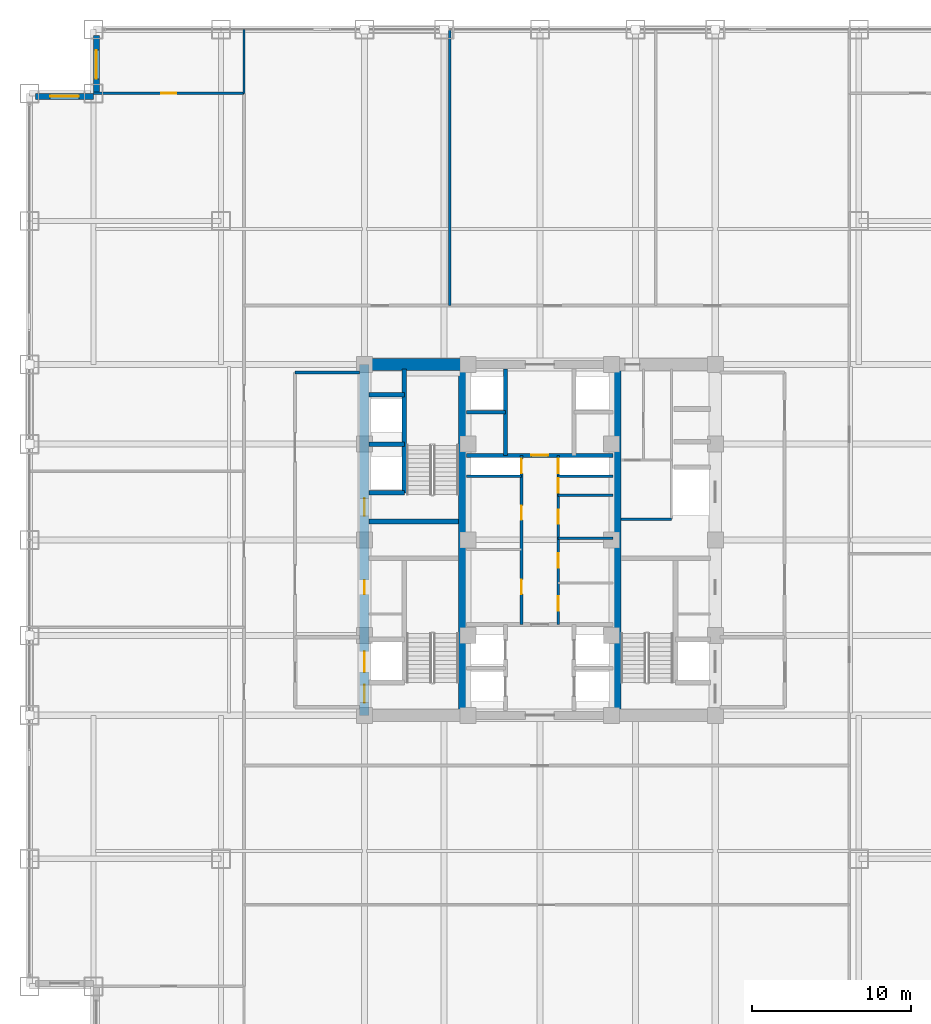
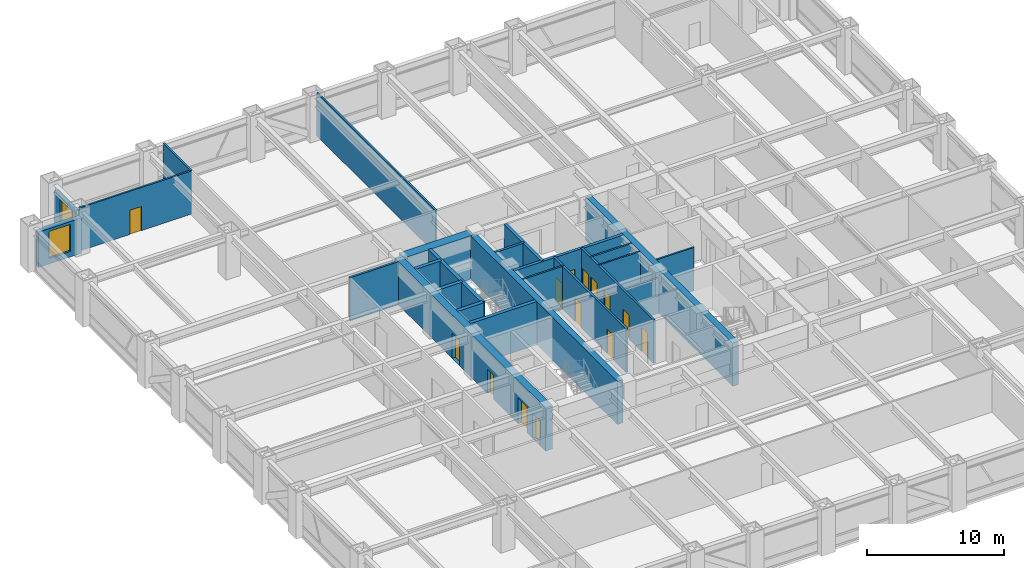
# One storey, part 25 of 28: 25 walls, 14 doors, 2 windows, 16 openings.
"""IFC4 building model written with IfcOpenShell, lengths in metres."""

from ifc_helpers import new_model, si_unit, direction, frame, frame_2d, origin, place, context, subcontext, project, spatial, rectangle, extrude, source, transform, mapped, material, layer, layer_set, type_object, element, fill, save


model = new_model("IFC4")

# Units and contexts
model_context = context("Model", 3, precision=1e-05, world=origin(), true_north=direction((0.0, 1.0)))
body_context = subcontext(model_context, "Body", "Model", "MODEL_VIEW")
ifc_project = project(units=[si_unit("LENGTHUNIT", "METRE"), si_unit("AREAUNIT", "SQUARE_METRE"), si_unit("VOLUMEUNIT", "CUBIC_METRE"), si_unit("PLANEANGLEUNIT", "RADIAN"), si_unit("MASSUNIT", "GRAM", prefix="KILO")], contexts=[model_context])

# Site, building, storey
site_placement = place(None, origin())
site = spatial("IfcSite", under=ifc_project, at=site_placement, CompositionType="ELEMENT")
building_placement = place(site_placement, origin())
building = spatial("IfcBuilding", under=site, at=building_placement, Name="Khorayat Bourse Tower", CompositionType="ELEMENT")
storey_placement = place(building_placement, frame((0.0, 0.0, 124.199951171875)))
storey = spatial("IfcBuildingStorey", under=building, at=storey_placement, Name="L28", CompositionType="ELEMENT", Elevation=124.199951171875)

# Wall, openings, doors
ifc_material_1 = material(Name="Concrete C60/75", Category="concrete")
ifc_layer_1 = layer(ifc_material_1, 0.60009765625)
ifc_layer_set_1 = layer_set([ifc_layer_1], Name="Concrete C60/75")
wall_type_1 = type_object("IfcWallType", Name="WAL-CORE-600", PredefinedType="SHEAR", material=ifc_layer_set_1)
shared_shape_1 = source(origin(), body_context, "Body", "SweptSolid", [
    extrude(rectangle(XDim=22.0, YDim=0.60009765625, at=frame_2d((11.0, 0.0))), origin(), (0.0, 0.0, 1.0), 3.840087890625),
])
wall_1_placement = place(storey_placement, frame((-11.0, -11.0, 0.0), z_axis=(0.0, 0.0, 1.0), x_axis=(0.0, 1.0, 0.0)))
wall_1 = element("IfcWall", 1, at=wall_1_placement, inside=storey, type_object=wall_type_1, Name="L28 Core Shear Wall CORE-W", PredefinedType="SHEAR", context=body_context, shape_type="MappedRepresentation", body=[
    mapped(shared_shape_1, transform((0.0, 0.0, 0.0), scale=1.0)),
])
shared_shape_2 = source(origin(), body_context, "Body", "SweptSolid", [
    extrude(rectangle(XDim=1.10009765625, YDim=2.199951171875, at=frame_2d((0.550048828125, 1.10009765625))), frame((0.0, 0.31005859375, 0.0), z_axis=(0.0, -1.0, 0.0), x_axis=(1.0, 0.0, 0.0)), (0.0, 0.0, 1.0), 0.6201171875),
])
opening_1_placement = place(wall_1_placement, frame((0.800048828125, 0.0, 0.0)))
opening_1 = element("IfcOpeningElement", 2, at=opening_1_placement, cuts=wall_1, Name="Opening DI-01", PredefinedType="OPENING", context=body_context, shape_type="MappedRepresentation", body=[
    mapped(shared_shape_2, transform((0.0, 0.0, 0.0), scale=1.0)),
])
opening_2_placement = place(wall_1_placement, frame((12.5, 0.0, 0.0)))
opening_2 = element("IfcOpeningElement", 3, at=opening_2_placement, cuts=wall_1, Name="Opening DI-01", PredefinedType="OPENING", context=body_context, shape_type="MappedRepresentation", body=[
    mapped(shared_shape_2, transform((0.0, 0.0, 0.0), scale=1.0)),
])
shared_shape_3 = source(origin(), body_context, "Body", "SweptSolid", [
    extrude(rectangle(XDim=0.89990234375, YDim=2.14990234375, at=frame_2d((0.449951171875, 1.074951171875))), frame((0.0, 0.31005859375, 0.0), z_axis=(0.0, -1.0, 0.0), x_axis=(1.0, 0.0, 0.0)), (0.0, 0.0, 1.0), 0.6201171875),
])
opening_3_placement = place(wall_1_placement, frame((7.574951171875, 0.0, 0.0)))
opening_3 = element("IfcOpeningElement", 4, at=opening_3_placement, cuts=wall_1, Name="Opening DI-06", PredefinedType="OPENING", context=body_context, shape_type="MappedRepresentation", body=[
    mapped(shared_shape_3, transform((0.0, 0.0, 0.0), scale=1.0)),
])
shared_shape_4 = source(origin(), body_context, "Body", "SweptSolid", [
    extrude(rectangle(XDim=1.300048828125, YDim=2.300048828125, at=frame_2d((0.64990234375, 1.14990234375))), frame((0.0, 0.31005859375, 0.0), z_axis=(0.0, -1.0, 0.0), x_axis=(1.0, 0.0, 0.0)), (0.0, 0.0, 1.0), 0.6201171875),
])
opening_4_placement = place(wall_1_placement, frame((2.699951171875, 0.0, 0.0)))
opening_4 = element("IfcOpeningElement", 5, at=opening_4_placement, cuts=wall_1, Name="Opening LD-02", PredefinedType="OPENING", context=body_context, shape_type="MappedRepresentation", body=[
    mapped(shared_shape_4, transform((0.0, 0.0, 0.0), scale=1.0)),
])
ifc_material_2 = material(Name="Fire-rated steel acoustic leaf", Category="steel")
door_type_1 = type_object("IfcDoorType", Name="DR-INT-STAIR-1100", OperationType="NOTDEFINED", PredefinedType="DOOR", material=ifc_material_2)
shared_shape_5 = source(origin(), body_context, "Body", "SweptSolid", [
    extrude(rectangle(XDim=1.10009765625, YDim=2.199951171875, at=frame_2d((0.550048828125, 1.10009765625))), frame((0.0, 0.02490234375, 0.0), z_axis=(0.0, -1.0, 0.0), x_axis=(1.0, 0.0, 0.0)), (0.0, 0.0, 1.0), 0.050048828125),
])
door_1_placement = place(opening_1_placement, origin())
door_1 = element("IfcDoor", 6, at=door_1_placement, inside=storey, type_object=door_type_1, Name="L28 Exit Stair 1 Door", OperationType="SINGLE_SWING_RIGHT", OverallHeight=2.199951171875, OverallWidth=1.10009765625, PredefinedType="DOOR", context=body_context, shape_type="MappedRepresentation", body=[
    mapped(shared_shape_5, transform((0.0, 0.0, 0.0), scale=1.0)),
])
fill(opening_1, door_1)
door_2_placement = place(opening_2_placement, origin())
door_2 = element("IfcDoor", 7, at=door_2_placement, inside=storey, type_object=door_type_1, Name="L28 Exit Stair 2 Door", OperationType="SINGLE_SWING_RIGHT", OverallHeight=2.199951171875, OverallWidth=1.10009765625, PredefinedType="DOOR", context=body_context, shape_type="MappedRepresentation", body=[
    mapped(shared_shape_5, transform((0.0, 0.0, 0.0), scale=1.0)),
])
fill(opening_2, door_2)
ifc_material_3 = material(Name="Moisture-resistant laminate washroom door")
door_type_2 = type_object("IfcDoorType", Name="DR-INT-WC-900", OperationType="NOTDEFINED", PredefinedType="DOOR", material=ifc_material_3)
shared_shape_6 = source(origin(), body_context, "Body", "SweptSolid", [
    extrude(rectangle(XDim=0.89990234375, YDim=2.14990234375, at=frame_2d((0.449951171875, 1.074951171875))), frame((0.0, 0.02490234375, 0.0), z_axis=(0.0, -1.0, 0.0), x_axis=(1.0, 0.0, 0.0)), (0.0, 0.0, 1.0), 0.050048828125),
])
door_3_placement = place(opening_3_placement, origin())
door_3 = element("IfcDoor", 8, at=door_3_placement, inside=storey, type_object=door_type_2, Name="L28 UPS Switch Plant Room Door", OperationType="SINGLE_SWING_RIGHT", OverallHeight=2.14990234375, OverallWidth=0.89990234375, PredefinedType="DOOR", context=body_context, shape_type="MappedRepresentation", body=[
    mapped(shared_shape_6, transform((0.0, 0.0, 0.0), scale=1.0)),
])
fill(opening_3, door_3)
ifc_material_4 = material(Name="Fire-rated stainless-steel sliding landing door", Category="steel")
door_type_3 = type_object("IfcDoorType", Name="DR-LIFT-FF-1300", OperationType="NOTDEFINED", PredefinedType="DOOR", material=ifc_material_4)
shared_shape_7 = source(origin(), body_context, "Body", "SweptSolid", [
    extrude(rectangle(XDim=1.300048828125, YDim=2.300048828125, at=frame_2d((0.64990234375, 1.14990234375))), frame((0.0, 0.02490234375, 0.0), z_axis=(0.0, -1.0, 0.0), x_axis=(1.0, 0.0, 0.0)), (0.0, 0.0, 1.0), 0.050048828125),
])
door_4_placement = place(opening_4_placement, origin())
door_4 = element("IfcDoor", 9, at=door_4_placement, inside=storey, type_object=door_type_3, Name="L28 Lift FFL-01 Sliding Landing Door", OperationType="SLIDING_TO_LEFT", OverallHeight=2.300048828125, OverallWidth=1.300048828125, PredefinedType="DOOR", context=body_context, shape_type="MappedRepresentation", body=[
    mapped(shared_shape_7, transform((0.0, 0.0, 0.0), scale=1.0)),
])
fill(opening_4, door_4)

# Walls
ifc_material_5 = material(Name="Concrete C52/65", Category="concrete")
ifc_layer_2 = layer(ifc_material_5, 0.5)
ifc_layer_set_2 = layer_set([ifc_layer_2], Name="Concrete C52/65")
wall_type_2 = type_object("IfcWallType", Name="WAL-CORE-500", PredefinedType="SHEAR", material=ifc_layer_set_2)
shared_shape_8 = source(origin(), body_context, "Body", "SweptSolid", [
    extrude(rectangle(XDim=21.39990234375, YDim=0.5, at=frame_2d((10.699951171875, 0.0))), origin(), (0.0, 0.0, 1.0), 3.840087890625),
])
for number, where, z_axis, x_axis, name in (
    (10, (-4.85009765625, -10.699951171875, 0.0), (0.0, 0.0, 1.0), (0.0, 1.0, 0.0), "L28 Core Shear Wall PIER-W"),
    (11, (4.85009765625, -10.699951171875, 0.0), (0.0, 0.0, 1.0), (0.0, 1.0, 0.0), "L28 Core Shear Wall PIER-E"),
):
    element("IfcWall", number, at=place(storey_placement, frame(where, z_axis=z_axis, x_axis=x_axis)), inside=storey, type_object=wall_type_2, Name=name, PredefinedType="SHEAR", context=body_context, shape_type="MappedRepresentation", body=[
        mapped(shared_shape_8, transform((0.0, 0.0, 0.0), scale=1.0)),
    ])
ifc_material_6 = material(Name="Concrete C72/90", Category="concrete")
ifc_layer_3 = layer(ifc_material_6, 0.75)
ifc_layer_set_3 = layer_set([ifc_layer_3], Name="Concrete C72/90")
wall_type_3 = type_object("IfcWallType", Name="WAL-CORE-750", PredefinedType="SHEAR", material=ifc_layer_set_3)
shared_shape_9 = source(origin(), body_context, "Body", "SweptSolid", [
    extrude(rectangle(XDim=5.849853515625, YDim=0.75, at=frame_2d((2.9248046875, 0.0))), origin(), (0.0, 0.0, 1.0), 3.840087890625),
])
wall_2_placement = place(storey_placement, frame((-10.699951171875, 11.0, 0.0), z_axis=(0.0, 0.0, 1.0), x_axis=(1.0, 0.0, 0.0)))
element("IfcWall", 12, at=wall_2_placement, inside=storey, type_object=wall_type_3, Name="L28 Core Shear Wall PIER-WN", PredefinedType="SHEAR", context=body_context, shape_type="MappedRepresentation", body=[
    mapped(shared_shape_9, transform((0.0, 0.0, 0.0), scale=1.0)),
])
ifc_material_7 = material(Name="Concrete C50/60", Category="concrete")
ifc_layer_4 = layer(ifc_material_7, 0.300048828125)
ifc_layer_set_4 = layer_set([ifc_layer_4], Name="Concrete C50/60")
wall_type_4 = type_object("IfcWallType", Name="WAL-SHAFT-300", PredefinedType="SHEAR", material=ifc_layer_set_4)
shared_shape_10 = source(origin(), body_context, "Body", "SweptSolid", [
    extrude(rectangle(XDim=5.599853515625, YDim=0.300048828125, at=frame_2d((2.7998046875, 0.0))), origin(), (0.0, 0.0, 1.0), 3.840087890625),
])
wall_3_placement = place(storey_placement, frame((-10.699951171875, 1.14990234375, 0.0), z_axis=(0.0, 0.0, 1.0), x_axis=(1.0, 0.0, 0.0)))
element("IfcWall", 13, at=wall_3_placement, inside=storey, type_object=wall_type_4, Name="L28 Core Shear Wall ST2-DIV", PredefinedType="SHEAR", context=body_context, shape_type="MappedRepresentation", body=[
    mapped(shared_shape_10, transform((0.0, 0.0, 0.0), scale=1.0)),
])

# Wall, opening, window
ifc_material_8 = material(Name="Precast concrete C45/55", Category="concrete")
ifc_layer_5 = layer(ifc_material_8, 0.3798828125)
ifc_layer_set_5 = layer_set([ifc_layer_5], Name="Precast concrete C45/55")
wall_type_5 = type_object("IfcWallType", Name="WAL-EXT-STONE-380", PredefinedType="STANDARD", material=ifc_layer_set_5)
shared_shape_11 = source(origin(), body_context, "Body", "SweptSolid", [
    extrude(rectangle(XDim=3.6201171875, YDim=0.3798828125, at=frame_2d((1.81005859375, 0.0))), origin(), (0.0, 0.0, 1.0), 3.14501953125),
])
wall_4_placement = place(storey_placement, frame((-27.81005859375, 28.0, 0.0), z_axis=(0.0, 0.0, 1.0), x_axis=(0.0, 1.0, 0.0)))
wall_4 = element("IfcWall", 14, at=wall_4_placement, inside=storey, type_object=wall_type_5, Name="L28 Re-Entrant Notch Limestone Wall NW-V", PredefinedType="STANDARD", context=body_context, shape_type="MappedRepresentation", body=[
    mapped(shared_shape_11, transform((0.0, 0.0, 0.0), scale=1.0)),
])
shared_shape_12 = source(origin(), body_context, "Body", "SweptSolid", [
    extrude(rectangle(XDim=1.800048828125, YDim=2.39990234375, at=frame_2d((0.89990234375, 1.199951171875))), frame((0.0, 0.199951171875, 0.0), z_axis=(0.0, -1.0, 0.0), x_axis=(1.0, 0.0, 0.0)), (0.0, 0.0, 1.0), 0.39990234375),
])
opening_5_placement = place(wall_4_placement, frame((0.909912109375, 0.0, 0.5)))
opening_5 = element("IfcOpeningElement", 15, at=opening_5_placement, cuts=wall_4, Name="Opening WN-04", PredefinedType="OPENING", context=body_context, shape_type="MappedRepresentation", body=[
    mapped(shared_shape_12, transform((0.0, 0.0, 0.0), scale=1.0)),
])
ifc_material_9 = material(Name="Low-E acoustic laminated double glazing", Category="glass")
window_type = type_object("IfcWindowType", Name="WIN-NOTCH-1800x2400", PartitioningType="SINGLE_PANEL", PredefinedType="WINDOW", material=ifc_material_9)
shared_shape_13 = source(origin(), body_context, "Body", "SweptSolid", [
    extrude(rectangle(XDim=1.800048828125, YDim=2.39990234375, at=frame_2d((0.89990234375, 1.199951171875))), frame((0.0, 0.030029296875, 0.0), z_axis=(0.0, -1.0, 0.0), x_axis=(1.0, 0.0, 0.0)), (0.0, 0.0, 1.0), 0.06005859375),
])
window_1_placement = place(opening_5_placement, origin())
window_1 = element("IfcWindow", 16, at=window_1_placement, inside=storey, type_object=window_type, Name="L28 Facade Window 1", OverallHeight=2.39990234375, OverallWidth=1.800048828125, PartitioningType="SINGLE_PANEL", PredefinedType="WINDOW", context=body_context, shape_type="MappedRepresentation", body=[
    mapped(shared_shape_13, transform((0.0, 0.0, 0.0), scale=1.0)),
])
fill(opening_5, window_1)

wall_5_placement = place(storey_placement, frame((-28.0, 27.81005859375, 0.0), z_axis=(0.0, 0.0, 1.0), x_axis=(-1.0, 0.0, 0.0)))
wall_5 = element("IfcWall", 17, at=wall_5_placement, inside=storey, type_object=wall_type_5, Name="L28 Re-Entrant Notch Limestone Wall NW-H", PredefinedType="STANDARD", context=body_context, shape_type="MappedRepresentation", body=[
    mapped(shared_shape_11, transform((0.0, 0.0, 0.0), scale=1.0)),
])
opening_6_placement = place(wall_5_placement, frame((0.909912109375, 0.0, 0.5)))
opening_6 = element("IfcOpeningElement", 18, at=opening_6_placement, cuts=wall_5, Name="Opening WN-04", PredefinedType="OPENING", context=body_context, shape_type="MappedRepresentation", body=[
    mapped(shared_shape_12, transform((0.0, 0.0, 0.0), scale=1.0)),
])
window_2_placement = place(opening_6_placement, origin())
window_2 = element("IfcWindow", 19, at=window_2_placement, inside=storey, type_object=window_type, Name="L28 Facade Window 1", OverallHeight=2.39990234375, OverallWidth=1.800048828125, PartitioningType="SINGLE_PANEL", PredefinedType="WINDOW", context=body_context, shape_type="MappedRepresentation", body=[
    mapped(shared_shape_13, transform((0.0, 0.0, 0.0), scale=1.0)),
])
fill(opening_6, window_2)

# Walls
shared_shape_14 = source(origin(), body_context, "Body", "SweptSolid", [
    extrude(rectangle(XDim=2.199951171875, YDim=0.300048828125, at=frame_2d((1.10009765625, 0.0))), origin(), (0.0, 0.0, 1.0), 3.840087890625),
])
for number, where, z_axis, x_axis, name in (
    (20, (-10.699951171875, 2.949951171875, 0.0), (0.0, 0.0, 1.0), (1.0, 0.0, 0.0), "L28 Partition WAL-L28-WPIER-H1S"),
    (21, (-10.699951171875, 6.0, 0.0), (0.0, 0.0, 1.0), (1.0, 0.0, 0.0), "L28 Partition WAL-L28-WPIER-H12"),
    (22, (-10.699951171875, 9.10009765625, 0.0), (0.0, 0.0, 1.0), (1.0, 0.0, 0.0), "L28 Partition WAL-L28-WPIER-H2N"),
):
    element("IfcWall", number, at=place(storey_placement, frame(where, z_axis=z_axis, x_axis=x_axis)), inside=storey, type_object=wall_type_4, Name=name, PredefinedType="SHEAR", context=body_context, shape_type="MappedRepresentation", body=[
        mapped(shared_shape_14, transform((0.0, 0.0, 0.0), scale=1.0)),
    ])
shared_shape_15 = source(origin(), body_context, "Body", "SweptSolid", [
    extrude(rectangle(XDim=7.75, YDim=0.300048828125, at=frame_2d((3.875, 0.0))), origin(), (0.0, 0.0, 1.0), 3.840087890625),
])
wall_6_placement = place(storey_placement, frame((-8.5, 2.949951171875, 0.0), z_axis=(0.0, 0.0, 1.0), x_axis=(0.0, 1.0, 0.0)))
element("IfcWall", 23, at=wall_6_placement, inside=storey, type_object=wall_type_4, Name="L28 Partition WAL-L28-WPIER-ST2S", PredefinedType="SHEAR", context=body_context, shape_type="MappedRepresentation", body=[
    mapped(shared_shape_15, transform((0.0, 0.0, 0.0), scale=1.0)),
])
ifc_material_10 = material(Name="Moisture-resistant masonry partition", Category="masonry")
ifc_layer_6 = layer(ifc_material_10, 0.139892578125)
ifc_layer_set_6 = layer_set([ifc_layer_6], Name="Moisture-resistant masonry partition")
wall_type_6 = type_object("IfcWallType", Name="WAL-PART-WET-140", PredefinedType="PARTITIONING", material=ifc_layer_set_6)
shared_shape_16 = source(origin(), body_context, "Body", "SweptSolid", [
    extrude(rectangle(XDim=3.14990234375, YDim=0.139892578125, at=frame_2d((1.574951171875, 0.0))), origin(), (0.0, 0.0, 1.0), 3.840087890625),
])
wall_7_placement = place(storey_placement, frame((5.10009765625, 1.300048828125, 0.0), z_axis=(0.0, 0.0, 1.0), x_axis=(1.0, 0.0, 0.0)))
element("IfcWall", 24, at=wall_7_placement, inside=storey, type_object=wall_type_6, Name="L28 Partition WAL-L28-ECORE-S", PredefinedType="PARTITIONING", context=body_context, shape_type="MappedRepresentation", body=[
    mapped(shared_shape_16, transform((0.0, 0.0, 0.0), scale=1.0)),
])
ifc_material_11 = material(Name="Gypsum plasterboard acoustic stud wall")
ifc_layer_7 = layer(ifc_material_11, 0.179931640625)
ifc_layer_set_7 = layer_set([ifc_layer_7], Name="Gypsum plasterboard acoustic stud wall")
wall_type_7 = type_object("IfcWallType", Name="WAL-PART-CORR-180", PredefinedType="PARTITIONING", material=ifc_layer_set_7)
shared_shape_17 = source(origin(), body_context, "Body", "SweptSolid", [
    extrude(rectangle(XDim=4.050048828125, YDim=0.179931640625, at=frame_2d((2.02490234375, 0.0))), origin(), (0.0, 0.0, 1.0), 3.840087890625),
])
wall_8_placement = place(storey_placement, frame((-15.35009765625, 10.5, 0.0), z_axis=(0.0, 0.0, 1.0), x_axis=(1.0, 0.0, 0.0)))
element("IfcWall", 25, at=wall_8_placement, inside=storey, type_object=wall_type_7, Name="L28 Partition WAL-L28-WLOB-N", PredefinedType="PARTITIONING", context=body_context, shape_type="MappedRepresentation", body=[
    mapped(shared_shape_17, transform((0.0, 0.0, 0.0), scale=1.0)),
])
ifc_material_12 = material(Name="Gypsum plasterboard twin-frame partition")
ifc_layer_8 = layer(ifc_material_12, 0.14990234375)
ifc_layer_set_8 = layer_set([ifc_layer_8], Name="Gypsum plasterboard twin-frame partition")
wall_type_8 = type_object("IfcWallType", Name="WAL-PART-SUITE-150", PredefinedType="PARTITIONING", material=ifc_layer_set_8)
shared_shape_18 = source(origin(), body_context, "Body", "SweptSolid", [
    extrude(rectangle(XDim=3.4501953125, YDim=0.14990234375, at=frame_2d((1.72509765625, 0.0))), origin(), (0.0, 0.0, 1.0), 3.840087890625),
])
for number, where, z_axis, x_axis, name in (
    (26, (-4.60009765625, 4.0, 0.0), (0.0, 0.0, 1.0), (1.0, 0.0, 0.0), "L28 Partition WAL-L28-CRSW-S"),
    (27, (1.14990234375, 4.0, 0.0), (0.0, 0.0, 1.0), (1.0, 0.0, 0.0), "L28 Partition WAL-L28-CRSE-S"),
):
    element("IfcWall", number, at=place(storey_placement, frame(where, z_axis=z_axis, x_axis=x_axis)), inside=storey, type_object=wall_type_8, Name=name, PredefinedType="PARTITIONING", context=body_context, shape_type="MappedRepresentation", body=[
        mapped(shared_shape_18, transform((0.0, 0.0, 0.0), scale=1.0)),
    ])
shared_shape_19 = source(origin(), body_context, "Body", "SweptSolid", [
    extrude(rectangle(XDim=5.39990234375, YDim=0.25, at=frame_2d((2.699951171875, 0.0))), origin(), (0.0, 0.0, 1.0), 3.840087890625),
])
wall_9_placement = place(storey_placement, frame((-2.14990234375, 5.300048828125, 0.0), z_axis=(0.0, 0.0, 1.0), x_axis=(0.0, 1.0, 0.0)))
element("IfcWall", 28, at=wall_9_placement, inside=storey, type_object=wall_type_4, Name="L28 Partition WAL-L28-B2-W", PredefinedType="SHEAR", context=body_context, shape_type="MappedRepresentation", body=[
    mapped(shared_shape_19, transform((0.0, 0.0, 0.0), scale=1.0)),
])
shared_shape_20 = source(origin(), body_context, "Body", "SweptSolid", [
    extrude(rectangle(XDim=2.4501953125, YDim=0.199951171875, at=frame_2d((1.22509765625, 0.0))), origin(), (0.0, 0.0, 1.0), 3.840087890625),
])
wall_10_placement = place(storey_placement, frame((-4.60009765625, 8.0, 0.0), z_axis=(0.0, 0.0, 1.0), x_axis=(1.0, 0.0, 0.0)))
element("IfcWall", 29, at=wall_10_placement, inside=storey, type_object=wall_type_4, Name="L28 Partition WAL-L28-B2-MW", PredefinedType="SHEAR", context=body_context, shape_type="MappedRepresentation", body=[
    mapped(shared_shape_20, transform((0.0, 0.0, 0.0), scale=1.0)),
])

# Wall, opening, door
shared_shape_21 = source(origin(), body_context, "Body", "SweptSolid", [
    extrude(rectangle(XDim=9.2001953125, YDim=0.25, at=frame_2d((4.60009765625, 0.0))), origin(), (0.0, 0.0, 1.0), 3.840087890625),
])
wall_11_placement = place(storey_placement, frame((-4.60009765625, 5.300048828125, 0.0), z_axis=(0.0, 0.0, 1.0), x_axis=(1.0, 0.0, 0.0)))
wall_11 = element("IfcWall", 30, at=wall_11_placement, inside=storey, type_object=wall_type_4, Name="L28 Partition WAL-L28-B2-S", PredefinedType="SHEAR", context=body_context, shape_type="MappedRepresentation", body=[
    mapped(shared_shape_21, transform((0.0, 0.0, 0.0), scale=1.0)),
])
shared_shape_22 = source(origin(), body_context, "Body", "SweptSolid", [
    extrude(rectangle(XDim=1.050048828125, YDim=2.199951171875, at=frame_2d((0.52490234375, 1.10009765625))), frame((0.0, 0.135009765625, 0.0), z_axis=(0.0, -1.0, 0.0), x_axis=(1.0, 0.0, 0.0)), (0.0, 0.0, 1.0), 0.27001953125),
])
opening_7_placement = place(wall_11_placement, frame((4.074951171875, 0.0, 0.0)))
opening_7 = element("IfcOpeningElement", 31, at=opening_7_placement, cuts=wall_11, Name="Opening DI-04", PredefinedType="OPENING", context=body_context, shape_type="MappedRepresentation", body=[
    mapped(shared_shape_22, transform((0.0, 0.0, 0.0), scale=1.0)),
])
ifc_material_13 = material(Name="Fire-rated oak veneer suite entrance door")
door_type_4 = type_object("IfcDoorType", Name="DR-INT-SUITE-1050", OperationType="NOTDEFINED", PredefinedType="DOOR", material=ifc_material_13)
shared_shape_23 = source(origin(), body_context, "Body", "SweptSolid", [
    extrude(rectangle(XDim=1.050048828125, YDim=2.199951171875, at=frame_2d((0.52490234375, 1.10009765625))), frame((0.0, 0.02490234375, 0.0), z_axis=(0.0, -1.0, 0.0), x_axis=(1.0, 0.0, 0.0)), (0.0, 0.0, 1.0), 0.050048828125),
])
door_5_placement = place(opening_7_placement, origin())
door_5 = element("IfcDoor", 32, at=door_5_placement, inside=storey, type_object=door_type_4, Name="L28 Core Spine North Door", OperationType="SINGLE_SWING_RIGHT", OverallHeight=2.199951171875, OverallWidth=1.050048828125, PredefinedType="DOOR", context=body_context, shape_type="MappedRepresentation", body=[
    mapped(shared_shape_23, transform((0.0, 0.0, 0.0), scale=1.0)),
])
fill(opening_7, door_5)

# Wall, openings, doors
shared_shape_24 = source(origin(), body_context, "Body", "SweptSolid", [
    extrude(rectangle(XDim=10.60009765625, YDim=0.179931640625, at=frame_2d((5.300048828125, 0.0))), origin(), (0.0, 0.0, 1.0), 3.840087890625),
])
wall_12_placement = place(storey_placement, frame((-1.14990234375, -5.300048828125, 0.0), z_axis=(0.0, 0.0, 1.0), x_axis=(0.0, 1.0, 0.0)))
wall_12 = element("IfcWall", 33, at=wall_12_placement, inside=storey, type_object=wall_type_7, Name="L28 Partition WAL-L28-CMW-L", PredefinedType="PARTITIONING", context=body_context, shape_type="MappedRepresentation", body=[
    mapped(shared_shape_24, transform((0.0, 0.0, 0.0), scale=1.0)),
])
shared_shape_25 = source(origin(), body_context, "Body", "SweptSolid", [
    extrude(rectangle(XDim=0.89990234375, YDim=2.14990234375, at=frame_2d((0.449951171875, 1.074951171875))), frame((0.0, 0.099853515625, 0.0), z_axis=(0.0, -1.0, 0.0), x_axis=(1.0, 0.0, 0.0)), (0.0, 0.0, 1.0), 0.199951171875),
])
opening_8_placement = place(wall_12_placement, frame((1.89990234375, 0.0, 0.0)))
opening_8 = element("IfcOpeningElement", 34, at=opening_8_placement, cuts=wall_12, Name="Opening DI-06", PredefinedType="OPENING", context=body_context, shape_type="MappedRepresentation", body=[
    mapped(shared_shape_25, transform((0.0, 0.0, 0.0), scale=1.0)),
])
opening_9_placement = place(wall_12_placement, frame((6.550048828125, 0.0, 0.0)))
opening_9 = element("IfcOpeningElement", 35, at=opening_9_placement, cuts=wall_12, Name="Opening DI-06", PredefinedType="OPENING", context=body_context, shape_type="MappedRepresentation", body=[
    mapped(shared_shape_25, transform((0.0, 0.0, 0.0), scale=1.0)),
])
opening_10_placement = place(wall_12_placement, frame((9.47509765625, 0.0, 0.0)))
opening_10 = element("IfcOpeningElement", 36, at=opening_10_placement, cuts=wall_12, Name="Opening DI-06", PredefinedType="OPENING", context=body_context, shape_type="MappedRepresentation", body=[
    mapped(shared_shape_25, transform((0.0, 0.0, 0.0), scale=1.0)),
])
door_6_placement = place(opening_8_placement, origin())
door_6 = element("IfcDoor", 37, at=door_6_placement, inside=storey, type_object=door_type_2, Name="L28 Male Core Washroom Door", OperationType="SINGLE_SWING_RIGHT", OverallHeight=2.14990234375, OverallWidth=0.89990234375, PredefinedType="DOOR", context=body_context, shape_type="MappedRepresentation", body=[
    mapped(shared_shape_6, transform((0.0, 0.0, 0.0), scale=1.0)),
])
fill(opening_8, door_6)
door_7_placement = place(opening_9_placement, origin())
door_7 = element("IfcDoor", 38, at=door_7_placement, inside=storey, type_object=door_type_2, Name="L28 Chilled Water Riser Plant Room Door", OperationType="SINGLE_SWING_LEFT", OverallHeight=2.14990234375, OverallWidth=0.89990234375, PredefinedType="DOOR", context=body_context, shape_type="MappedRepresentation", body=[
    mapped(shared_shape_6, transform((0.0, 0.0, 0.0), scale=1.0)),
])
fill(opening_9, door_7)
door_8_placement = place(opening_10_placement, origin())
door_8 = element("IfcDoor", 39, at=door_8_placement, inside=storey, type_object=door_type_2, Name="L28 West Core Riser Door", OperationType="SINGLE_SWING_LEFT", OverallHeight=2.14990234375, OverallWidth=0.89990234375, PredefinedType="DOOR", context=body_context, shape_type="MappedRepresentation", body=[
    mapped(shared_shape_6, transform((0.0, 0.0, 0.0), scale=1.0)),
])
fill(opening_10, door_8)

wall_13_placement = place(storey_placement, frame((1.14990234375, -5.300048828125, 0.0), z_axis=(0.0, 0.0, 1.0), x_axis=(0.0, 1.0, 0.0)))
wall_13 = element("IfcWall", 40, at=wall_13_placement, inside=storey, type_object=wall_type_7, Name="L28 Partition WAL-L28-CME-L", PredefinedType="PARTITIONING", context=body_context, shape_type="MappedRepresentation", body=[
    mapped(shared_shape_24, transform((0.0, 0.0, 0.0), scale=1.0)),
])
opening_11_placement = place(wall_13_placement, frame((0.85009765625, 0.0, 0.0)))
opening_11 = element("IfcOpeningElement", 41, at=opening_11_placement, cuts=wall_13, Name="Opening DI-06", PredefinedType="OPENING", context=body_context, shape_type="MappedRepresentation", body=[
    mapped(shared_shape_25, transform((0.0, 0.0, 0.0), scale=1.0)),
])
opening_12_placement = place(wall_13_placement, frame((3.550048828125, 0.0, 0.0)))
opening_12 = element("IfcOpeningElement", 42, at=opening_12_placement, cuts=wall_13, Name="Opening DI-06", PredefinedType="OPENING", context=body_context, shape_type="MappedRepresentation", body=[
    mapped(shared_shape_25, transform((0.0, 0.0, 0.0), scale=1.0)),
])
opening_13_placement = place(wall_13_placement, frame((6.300048828125, 0.0, 0.0)))
opening_13 = element("IfcOpeningElement", 43, at=opening_13_placement, cuts=wall_13, Name="Opening DI-06", PredefinedType="OPENING", context=body_context, shape_type="MappedRepresentation", body=[
    mapped(shared_shape_25, transform((0.0, 0.0, 0.0), scale=1.0)),
])
opening_14_placement = place(wall_13_placement, frame((8.25, 0.0, 0.0)))
opening_14 = element("IfcOpeningElement", 44, at=opening_14_placement, cuts=wall_13, Name="Opening DI-06", PredefinedType="OPENING", context=body_context, shape_type="MappedRepresentation", body=[
    mapped(shared_shape_25, transform((0.0, 0.0, 0.0), scale=1.0)),
])
opening_15_placement = place(wall_13_placement, frame((9.47509765625, 0.0, 0.0)))
opening_15 = element("IfcOpeningElement", 45, at=opening_15_placement, cuts=wall_13, Name="Opening DI-06", PredefinedType="OPENING", context=body_context, shape_type="MappedRepresentation", body=[
    mapped(shared_shape_25, transform((0.0, 0.0, 0.0), scale=1.0)),
])
door_9_placement = place(opening_11_placement, origin())
door_9 = element("IfcDoor", 46, at=door_9_placement, inside=storey, type_object=door_type_2, Name="L28 Female Core Washroom Door", OperationType="SINGLE_SWING_RIGHT", OverallHeight=2.14990234375, OverallWidth=0.89990234375, PredefinedType="DOOR", context=body_context, shape_type="MappedRepresentation", body=[
    mapped(shared_shape_6, transform((0.0, 0.0, 0.0), scale=1.0)),
])
fill(opening_11, door_9)
door_10_placement = place(opening_12_placement, origin())
door_10 = element("IfcDoor", 47, at=door_10_placement, inside=storey, type_object=door_type_2, Name="L28 Comms Patch Room Door", OperationType="SINGLE_SWING_LEFT", OverallHeight=2.14990234375, OverallWidth=0.89990234375, PredefinedType="DOOR", context=body_context, shape_type="MappedRepresentation", body=[
    mapped(shared_shape_6, transform((0.0, 0.0, 0.0), scale=1.0)),
])
fill(opening_12, door_10)
door_11_placement = place(opening_13_placement, origin())
door_11 = element("IfcDoor", 48, at=door_11_placement, inside=storey, type_object=door_type_2, Name="L28 Janitor Cupboard Door", OperationType="SINGLE_SWING_RIGHT", OverallHeight=2.14990234375, OverallWidth=0.89990234375, PredefinedType="DOOR", context=body_context, shape_type="MappedRepresentation", body=[
    mapped(shared_shape_6, transform((0.0, 0.0, 0.0), scale=1.0)),
])
fill(opening_13, door_11)
door_12_placement = place(opening_14_placement, origin())
door_12 = element("IfcDoor", 49, at=door_12_placement, inside=storey, type_object=door_type_2, Name="L28 Fire Valve Plant Room Door", OperationType="SINGLE_SWING_LEFT", OverallHeight=2.14990234375, OverallWidth=0.89990234375, PredefinedType="DOOR", context=body_context, shape_type="MappedRepresentation", body=[
    mapped(shared_shape_6, transform((0.0, 0.0, 0.0), scale=1.0)),
])
fill(opening_14, door_12)
door_13_placement = place(opening_15_placement, origin())
door_13 = element("IfcDoor", 50, at=door_13_placement, inside=storey, type_object=door_type_2, Name="L28 East Core Riser Door", OperationType="SINGLE_SWING_RIGHT", OverallHeight=2.14990234375, OverallWidth=0.89990234375, PredefinedType="DOOR", context=body_context, shape_type="MappedRepresentation", body=[
    mapped(shared_shape_6, transform((0.0, 0.0, 0.0), scale=1.0)),
])
fill(opening_15, door_13)

# Walls
shared_shape_26 = source(origin(), body_context, "Body", "SweptSolid", [
    extrude(rectangle(XDim=3.4501953125, YDim=0.139892578125, at=frame_2d((1.72509765625, 0.0))), origin(), (0.0, 0.0, 1.0), 3.840087890625),
])
wall_14_placement = place(storey_placement, frame((1.14990234375, 2.800048828125, 0.0), z_axis=(0.0, 0.0, 1.0), x_axis=(1.0, 0.0, 0.0)))
element("IfcWall", 51, at=wall_14_placement, inside=storey, type_object=wall_type_6, Name="L28 Partition WAL-L28-CME-D3", PredefinedType="PARTITIONING", context=body_context, shape_type="MappedRepresentation", body=[
    mapped(shared_shape_26, transform((0.0, 0.0, 0.0), scale=1.0)),
])
shared_shape_27 = source(origin(), body_context, "Body", "SweptSolid", [
    extrude(rectangle(XDim=4.0, YDim=0.14990234375, at=frame_2d((2.0, 0.0))), origin(), (0.0, 0.0, 1.0), 3.840087890625),
])
wall_15_placement = place(storey_placement, frame((-18.550048828125, 28.0, 0.0), z_axis=(0.0, 0.0, 1.0), x_axis=(0.0, 1.0, 0.0)))
element("IfcWall", 52, at=wall_15_placement, inside=storey, type_object=wall_type_8, Name="L28 Partition WAL-L28-NCW-END", PredefinedType="PARTITIONING", context=body_context, shape_type="MappedRepresentation", body=[
    mapped(shared_shape_27, transform((0.0, 0.0, 0.0), scale=1.0)),
])
shared_shape_28 = source(origin(), body_context, "Body", "SweptSolid", [
    extrude(rectangle(XDim=3.4501953125, YDim=0.139892578125, at=frame_2d((1.72509765625, 0.0))), origin(), (0.0, 0.0, 1.0), 3.14501953125),
])
wall_16_placement = place(storey_placement, frame((1.14990234375, 0.10009765625, 0.0), z_axis=(0.0, 0.0, 1.0), x_axis=(1.0, 0.0, 0.0)))
element("IfcWall", 53, at=wall_16_placement, inside=storey, type_object=wall_type_6, Name="L28 Partition WAL-L28-CME-D2", PredefinedType="PARTITIONING", context=body_context, shape_type="MappedRepresentation", body=[
    mapped(shared_shape_28, transform((0.0, 0.0, 0.0), scale=1.0)),
])

# Wall, opening, door
shared_shape_29 = source(origin(), body_context, "Body", "SweptSolid", [
    extrude(rectangle(XDim=9.449951171875, YDim=0.14990234375, at=frame_2d((4.72509765625, 0.0))), origin(), (0.0, 0.0, 1.0), 3.840087890625),
])
wall_17_placement = place(storey_placement, frame((-28.0, 28.0, 0.0), z_axis=(0.0, 0.0, 1.0), x_axis=(1.0, 0.0, 0.0)))
wall_17 = element("IfcWall", 54, at=wall_17_placement, inside=storey, type_object=wall_type_8, Name="L28 Partition WAL-L28-CNW", PredefinedType="PARTITIONING", context=body_context, shape_type="MappedRepresentation", body=[
    mapped(shared_shape_29, transform((0.0, 0.0, 0.0), scale=1.0)),
])
shared_shape_30 = source(origin(), body_context, "Body", "SweptSolid", [
    extrude(rectangle(XDim=0.949951171875, YDim=2.14990234375, at=frame_2d((0.47509765625, 1.074951171875))), frame((0.0, 0.0849609375, 0.0), z_axis=(0.0, -1.0, 0.0), x_axis=(1.0, 0.0, 0.0)), (0.0, 0.0, 1.0), 0.169921875),
])
opening_16_placement = place(wall_17_placement, frame((4.25, 0.0, 0.0)))
opening_16 = element("IfcOpeningElement", 55, at=opening_16_placement, cuts=wall_17, Name="Opening DI-05", PredefinedType="OPENING", context=body_context, shape_type="MappedRepresentation", body=[
    mapped(shared_shape_30, transform((0.0, 0.0, 0.0), scale=1.0)),
])
ifc_material_14 = material(Name="Acoustic oak veneer office door")
door_type_5 = type_object("IfcDoorType", Name="DR-INT-OFFICE-950", OperationType="NOTDEFINED", PredefinedType="DOOR", material=ifc_material_14)
shared_shape_31 = source(origin(), body_context, "Body", "SweptSolid", [
    extrude(rectangle(XDim=0.949951171875, YDim=2.14990234375, at=frame_2d((0.47509765625, 1.074951171875))), frame((0.0, 0.02490234375, 0.0), z_axis=(0.0, -1.0, 0.0), x_axis=(1.0, 0.0, 0.0)), (0.0, 0.0, 1.0), 0.050048828125),
])
door_14_placement = place(opening_16_placement, origin())
door_14 = element("IfcDoor", 56, at=door_14_placement, inside=storey, type_object=door_type_5, Name="L28 North-West Corner Meeting Room Door", OperationType="SINGLE_SWING_LEFT", OverallHeight=2.14990234375, OverallWidth=0.949951171875, PredefinedType="DOOR", context=body_context, shape_type="MappedRepresentation", body=[
    mapped(shared_shape_31, transform((0.0, 0.0, 0.0), scale=1.0)),
])
fill(opening_16, door_14)

# Wall
shared_shape_32 = source(origin(), body_context, "Body", "SweptSolid", [
    extrude(rectangle(XDim=17.300048828125, YDim=0.14990234375, at=frame_2d((8.64990234375, 0.0))), origin(), (0.0, 0.0, 1.0), 3.840087890625),
])
wall_18_placement = place(storey_placement, frame((-5.64697265625, 14.699951171875, 0.0), z_axis=(0.0, 0.0, 1.0), x_axis=(0.0, 1.0, 0.0)))
element("IfcWall", 57, at=wall_18_placement, inside=storey, type_object=wall_type_8, Name="L28 Partition WAL-L28-NDV-1", PredefinedType="PARTITIONING", context=body_context, shape_type="MappedRepresentation", body=[
    mapped(shared_shape_32, transform((0.0, 0.0, 0.0), scale=1.0)),
])

save(model, "model.ifc")
